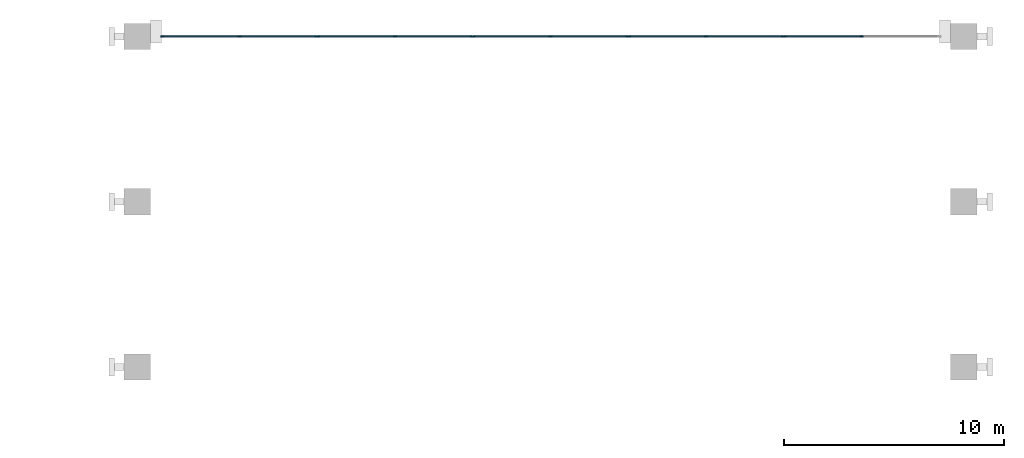
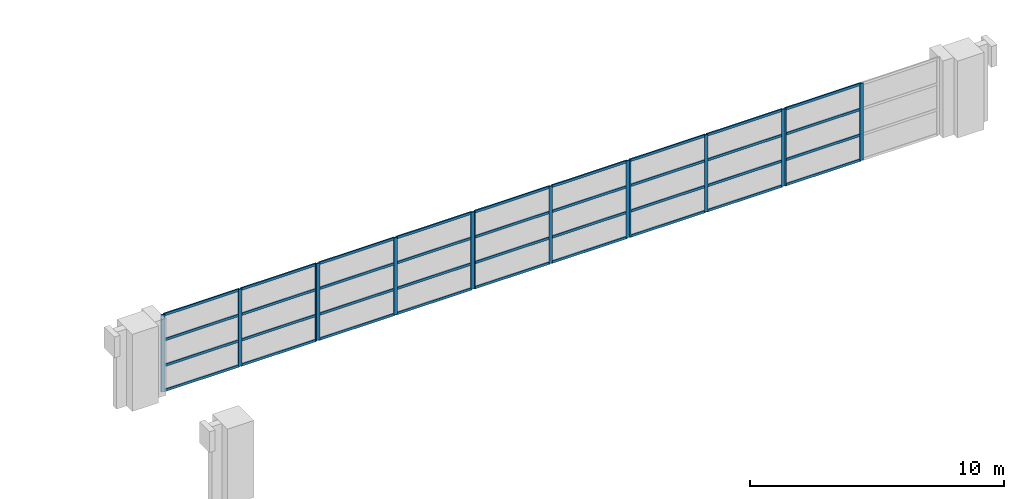
# One storey, part 12 of 57: 50 members, 5 elements without a shape of their own.
"""IFC4 building model written with IfcOpenShell, lengths in metres."""

from ifc_helpers import new_model, si_unit, direction, frame, origin, origin_2d, place, context, subcontext, project, spatial, rectangle, extrude, material, layer, layer_set, material_profile, profile_set, type_object, element, aggregate, save


model = new_model("IFC4")

# Units and contexts
model_context = context("Model", 3, precision=1e-05, world=origin(), true_north=direction((0.0, 1.0)))
body_context = subcontext(model_context, "Body", "Model", "MODEL_VIEW")
ifc_project = project(units=[si_unit("LENGTHUNIT", "METRE"), si_unit("AREAUNIT", "SQUARE_METRE"), si_unit("VOLUMEUNIT", "CUBIC_METRE"), si_unit("PLANEANGLEUNIT", "RADIAN"), si_unit("MASSUNIT", "GRAM", prefix="KILO")], contexts=[model_context])

# Site, building, storey
site_placement = place(None, origin())
site = spatial("IfcSite", under=ifc_project, at=site_placement, CompositionType="ELEMENT")
building_placement = place(site_placement, origin())
building = spatial("IfcBuilding", under=site, at=building_placement, Name="Cour d'Honneur Mobility Palace", CompositionType="ELEMENT")
storey_placement = place(building_placement, frame((0.0, 0.0, 8.199951171875)))
storey = spatial("IfcBuildingStorey", under=building, at=storey_placement, Name="L02", CompositionType="ELEMENT", Elevation=8.199951171875)

# Curtain wall, members
ifc_material_1 = material(Name="Aluminium and glass", Category="aluminium")
ifc_layer = layer(ifc_material_1, 0.10009765625)
ifc_layer_set = layer_set([ifc_layer], Name="Aluminium and glass")
curtain_wall_type = type_object("IfcCurtainWallType", Name="Curtain wall run", PredefinedType="NOTDEFINED", material=ifc_layer_set)
curtain_wall_1_placement = place(storey_placement, origin())
curtain_wall_1 = element("IfcCurtainWall", 1, at=curtain_wall_1_placement, inside=storey, type_object=curtain_wall_type, Name="Curtain wall CW-176", PredefinedType="NOTDEFINED")
ifc_material_2 = material(Name="Aluminium", Category="aluminium")
ifc_material_profile_1 = material_profile(ifc_material_2, rectangle(XDim=0.06005859375, YDim=0.159912109375, at=origin_2d()), Name="Curtain wall mullion")
ifc_profile_set_1 = profile_set([ifc_material_profile_1], Name="Aluminium")
member_type_1 = type_object("IfcMemberType", Name="Curtain wall mullion", PredefinedType="MULLION", material=ifc_profile_set_1)
member_1_placement = place(storey_placement, frame((63.530029296875, 114.89990234375, 0.0), z_axis=(0.0, 0.0, 1.0), x_axis=(0.0, 1.0, 0.0)))
member_1 = element("IfcMember", 2, at=member_1_placement, type_object=member_type_1, Name="CW-176 mullion 1", PredefinedType="MULLION", context=body_context, shape_type="SweptSolid", body=[
    extrude(rectangle(XDim=0.06005859375, YDim=0.159912109375, at=origin_2d()), origin(), (0.0, 0.0, 1.0), 3.699951171875),
])
member_2_placement = place(storey_placement, frame((67.030029296875, 114.89990234375, 0.0), z_axis=(0.0, 0.0, 1.0), x_axis=(0.0, 1.0, 0.0)))
member_2 = element("IfcMember", 3, at=member_2_placement, type_object=member_type_1, Name="CW-176 mullion 2", PredefinedType="MULLION", context=body_context, shape_type="SweptSolid", body=[
    extrude(rectangle(XDim=0.06005859375, YDim=0.159912109375, at=origin_2d()), origin(), (0.0, 0.0, 1.0), 3.699951171875),
])
member_3_placement = place(storey_placement, frame((70.530029296875, 114.89990234375, 0.0), z_axis=(0.0, 0.0, 1.0), x_axis=(0.0, 1.0, 0.0)))
member_3 = element("IfcMember", 4, at=member_3_placement, type_object=member_type_1, Name="CW-176 mullion 3", PredefinedType="MULLION", context=body_context, shape_type="SweptSolid", body=[
    extrude(rectangle(XDim=0.06005859375, YDim=0.159912109375, at=origin_2d()), origin(), (0.0, 0.0, 1.0), 3.699951171875),
])

curtain_wall_2_placement = place(storey_placement, origin())
curtain_wall_2 = element("IfcCurtainWall", 5, at=curtain_wall_2_placement, inside=storey, type_object=curtain_wall_type, Name="Curtain wall CW-177", PredefinedType="NOTDEFINED")
member_4_placement = place(storey_placement, frame((70.590087890625, 114.89990234375, 0.0), z_axis=(0.0, 0.0, 1.0), x_axis=(0.0, 1.0, 0.0)))
member_4 = element("IfcMember", 6, at=member_4_placement, type_object=member_type_1, Name="CW-177 mullion 1", PredefinedType="MULLION", context=body_context, shape_type="SweptSolid", body=[
    extrude(rectangle(XDim=0.06005859375, YDim=0.159912109375, at=origin_2d()), origin(), (0.0, 0.0, 1.0), 3.699951171875),
])
member_5_placement = place(storey_placement, frame((74.090087890625, 114.89990234375, 0.0), z_axis=(0.0, 0.0, 1.0), x_axis=(0.0, 1.0, 0.0)))
member_5 = element("IfcMember", 7, at=member_5_placement, type_object=member_type_1, Name="CW-177 mullion 2", PredefinedType="MULLION", context=body_context, shape_type="SweptSolid", body=[
    extrude(rectangle(XDim=0.06005859375, YDim=0.159912109375, at=origin_2d()), origin(), (0.0, 0.0, 1.0), 3.699951171875),
])
member_6_placement = place(storey_placement, frame((77.590087890625, 114.89990234375, 0.0), z_axis=(0.0, 0.0, 1.0), x_axis=(0.0, 1.0, 0.0)))
member_6 = element("IfcMember", 8, at=member_6_placement, type_object=member_type_1, Name="CW-177 mullion 3", PredefinedType="MULLION", context=body_context, shape_type="SweptSolid", body=[
    extrude(rectangle(XDim=0.06005859375, YDim=0.159912109375, at=origin_2d()), origin(), (0.0, 0.0, 1.0), 3.699951171875),
])

curtain_wall_3_placement = place(storey_placement, origin())
curtain_wall_3 = element("IfcCurtainWall", 9, at=curtain_wall_3_placement, inside=storey, type_object=curtain_wall_type, Name="Curtain wall CW-178", PredefinedType="NOTDEFINED")
member_7_placement = place(storey_placement, frame((77.64990234375, 114.89990234375, 0.0), z_axis=(0.0, 0.0, 1.0), x_axis=(0.0, 1.0, 0.0)))
member_7 = element("IfcMember", 10, at=member_7_placement, type_object=member_type_1, Name="CW-178 mullion 1", PredefinedType="MULLION", context=body_context, shape_type="SweptSolid", body=[
    extrude(rectangle(XDim=0.06005859375, YDim=0.159912109375, at=origin_2d()), origin(), (0.0, 0.0, 1.0), 3.699951171875),
])
member_8_placement = place(storey_placement, frame((81.14990234375, 114.89990234375, 0.0), z_axis=(0.0, 0.0, 1.0), x_axis=(0.0, 1.0, 0.0)))
member_8 = element("IfcMember", 11, at=member_8_placement, type_object=member_type_1, Name="CW-178 mullion 2", PredefinedType="MULLION", context=body_context, shape_type="SweptSolid", body=[
    extrude(rectangle(XDim=0.06005859375, YDim=0.159912109375, at=origin_2d()), origin(), (0.0, 0.0, 1.0), 3.699951171875),
])
member_9_placement = place(storey_placement, frame((84.64990234375, 114.89990234375, 0.0), z_axis=(0.0, 0.0, 1.0), x_axis=(0.0, 1.0, 0.0)))
member_9 = element("IfcMember", 12, at=member_9_placement, type_object=member_type_1, Name="CW-178 mullion 3", PredefinedType="MULLION", context=body_context, shape_type="SweptSolid", body=[
    extrude(rectangle(XDim=0.06005859375, YDim=0.159912109375, at=origin_2d()), origin(), (0.0, 0.0, 1.0), 3.699951171875),
])

curtain_wall_4_placement = place(storey_placement, origin())
curtain_wall_4 = element("IfcCurtainWall", 13, at=curtain_wall_4_placement, inside=storey, type_object=curtain_wall_type, Name="Curtain wall CW-179", PredefinedType="NOTDEFINED")
member_10_placement = place(storey_placement, frame((84.7099609375, 114.89990234375, 0.0), z_axis=(0.0, 0.0, 1.0), x_axis=(0.0, 1.0, 0.0)))
member_10 = element("IfcMember", 14, at=member_10_placement, type_object=member_type_1, Name="CW-179 mullion 1", PredefinedType="MULLION", context=body_context, shape_type="SweptSolid", body=[
    extrude(rectangle(XDim=0.06005859375, YDim=0.159912109375, at=origin_2d()), origin(), (0.0, 0.0, 1.0), 3.699951171875),
])
member_11_placement = place(storey_placement, frame((88.2099609375, 114.89990234375, 0.0), z_axis=(0.0, 0.0, 1.0), x_axis=(0.0, 1.0, 0.0)))
member_11 = element("IfcMember", 15, at=member_11_placement, type_object=member_type_1, Name="CW-179 mullion 2", PredefinedType="MULLION", context=body_context, shape_type="SweptSolid", body=[
    extrude(rectangle(XDim=0.06005859375, YDim=0.159912109375, at=origin_2d()), origin(), (0.0, 0.0, 1.0), 3.699951171875),
])
member_12_placement = place(storey_placement, frame((91.7099609375, 114.89990234375, 0.0), z_axis=(0.0, 0.0, 1.0), x_axis=(0.0, 1.0, 0.0)))
member_12 = element("IfcMember", 16, at=member_12_placement, type_object=member_type_1, Name="CW-179 mullion 3", PredefinedType="MULLION", context=body_context, shape_type="SweptSolid", body=[
    extrude(rectangle(XDim=0.06005859375, YDim=0.159912109375, at=origin_2d()), origin(), (0.0, 0.0, 1.0), 3.699951171875),
])

curtain_wall_5_placement = place(storey_placement, origin())
curtain_wall_5 = element("IfcCurtainWall", 17, at=curtain_wall_5_placement, inside=storey, type_object=curtain_wall_type, Name="Curtain wall CW-180", PredefinedType="NOTDEFINED")
member_13_placement = place(storey_placement, frame((91.77001953125, 114.89990234375, 0.0), z_axis=(0.0, 0.0, 1.0), x_axis=(0.0, 1.0, 0.0)))
member_13 = element("IfcMember", 18, at=member_13_placement, type_object=member_type_1, Name="CW-180 mullion 1", PredefinedType="MULLION", context=body_context, shape_type="SweptSolid", body=[
    extrude(rectangle(XDim=0.06005859375, YDim=0.159912109375, at=origin_2d()), origin(), (0.0, 0.0, 1.0), 3.699951171875),
])
member_14_placement = place(storey_placement, frame((95.27001953125, 114.89990234375, 0.0), z_axis=(0.0, 0.0, 1.0), x_axis=(0.0, 1.0, 0.0)))
member_14 = element("IfcMember", 19, at=member_14_placement, type_object=member_type_1, Name="CW-180 mullion 2", PredefinedType="MULLION", context=body_context, shape_type="SweptSolid", body=[
    extrude(rectangle(XDim=0.06005859375, YDim=0.159912109375, at=origin_2d()), origin(), (0.0, 0.0, 1.0), 3.699951171875),
])

# Member
ifc_material_3 = material(Name="Aluminium", Category="aluminium")
ifc_material_profile_2 = material_profile(ifc_material_3, rectangle(XDim=0.06005859375, YDim=0.1201171875, at=origin_2d()), Name="Curtain wall transom")
ifc_profile_set_2 = profile_set([ifc_material_profile_2], Name="Aluminium")
member_type_2 = type_object("IfcMemberType", Name="Curtain wall transom", PredefinedType="USERDEFINED", material=ifc_profile_set_2)
member_15_placement = place(storey_placement, frame((63.56005859375, 114.89990234375, 0.030029296875), z_axis=(1.0, 0.0, 0.0), x_axis=(0.0, 1.0, 0.0)))
member_15 = element("IfcMember", 20, at=member_15_placement, type_object=member_type_2, Name="CW-176 transom 1.1", ObjectType="TRANSOM", PredefinedType="USERDEFINED", context=body_context, shape_type="SweptSolid", body=[
    extrude(rectangle(XDim=0.06005859375, YDim=0.1201171875, at=origin_2d()), origin(), (0.0, 0.0, 1.0), 3.43994140625),
])

member_16_placement = place(storey_placement, frame((63.56005859375, 114.89990234375, 1.2333984375), z_axis=(1.0, 0.0, 0.0), x_axis=(0.0, 1.0, 0.0)))
member_16 = element("IfcMember", 21, at=member_16_placement, type_object=member_type_2, Name="CW-176 transom 1.2", ObjectType="TRANSOM", PredefinedType="USERDEFINED", context=body_context, shape_type="SweptSolid", body=[
    extrude(rectangle(XDim=0.06005859375, YDim=0.1201171875, at=origin_2d()), origin(), (0.0, 0.0, 1.0), 3.43994140625),
])

member_17_placement = place(storey_placement, frame((63.56005859375, 114.89990234375, 2.466796875), z_axis=(1.0, 0.0, 0.0), x_axis=(0.0, 1.0, 0.0)))
member_17 = element("IfcMember", 22, at=member_17_placement, type_object=member_type_2, Name="CW-176 transom 1.3", ObjectType="TRANSOM", PredefinedType="USERDEFINED", context=body_context, shape_type="SweptSolid", body=[
    extrude(rectangle(XDim=0.06005859375, YDim=0.1201171875, at=origin_2d()), origin(), (0.0, 0.0, 1.0), 3.43994140625),
])

member_18_placement = place(storey_placement, frame((63.56005859375, 114.89990234375, 3.670166015625), z_axis=(1.0, 0.0, 0.0), x_axis=(0.0, 1.0, 0.0)))
member_18 = element("IfcMember", 23, at=member_18_placement, type_object=member_type_2, Name="CW-176 transom 1.4", ObjectType="TRANSOM", PredefinedType="USERDEFINED", context=body_context, shape_type="SweptSolid", body=[
    extrude(rectangle(XDim=0.06005859375, YDim=0.1201171875, at=origin_2d()), origin(), (0.0, 0.0, 1.0), 3.43994140625),
])

member_19_placement = place(storey_placement, frame((67.06005859375, 114.89990234375, 0.030029296875), z_axis=(1.0, 0.0, 0.0), x_axis=(0.0, 1.0, 0.0)))
member_19 = element("IfcMember", 24, at=member_19_placement, type_object=member_type_2, Name="CW-176 transom 2.1", ObjectType="TRANSOM", PredefinedType="USERDEFINED", context=body_context, shape_type="SweptSolid", body=[
    extrude(rectangle(XDim=0.06005859375, YDim=0.1201171875, at=origin_2d()), origin(), (0.0, 0.0, 1.0), 3.43994140625),
])

member_20_placement = place(storey_placement, frame((67.06005859375, 114.89990234375, 1.2333984375), z_axis=(1.0, 0.0, 0.0), x_axis=(0.0, 1.0, 0.0)))
member_20 = element("IfcMember", 25, at=member_20_placement, type_object=member_type_2, Name="CW-176 transom 2.2", ObjectType="TRANSOM", PredefinedType="USERDEFINED", context=body_context, shape_type="SweptSolid", body=[
    extrude(rectangle(XDim=0.06005859375, YDim=0.1201171875, at=origin_2d()), origin(), (0.0, 0.0, 1.0), 3.43994140625),
])

member_21_placement = place(storey_placement, frame((67.06005859375, 114.89990234375, 2.466796875), z_axis=(1.0, 0.0, 0.0), x_axis=(0.0, 1.0, 0.0)))
member_21 = element("IfcMember", 26, at=member_21_placement, type_object=member_type_2, Name="CW-176 transom 2.3", ObjectType="TRANSOM", PredefinedType="USERDEFINED", context=body_context, shape_type="SweptSolid", body=[
    extrude(rectangle(XDim=0.06005859375, YDim=0.1201171875, at=origin_2d()), origin(), (0.0, 0.0, 1.0), 3.43994140625),
])

member_22_placement = place(storey_placement, frame((67.06005859375, 114.89990234375, 3.670166015625), z_axis=(1.0, 0.0, 0.0), x_axis=(0.0, 1.0, 0.0)))
member_22 = element("IfcMember", 27, at=member_22_placement, type_object=member_type_2, Name="CW-176 transom 2.4", ObjectType="TRANSOM", PredefinedType="USERDEFINED", context=body_context, shape_type="SweptSolid", body=[
    extrude(rectangle(XDim=0.06005859375, YDim=0.1201171875, at=origin_2d()), origin(), (0.0, 0.0, 1.0), 3.43994140625),
])

aggregate(curtain_wall_1, [member_1, member_2, member_3, member_15, member_16, member_17, member_18, member_19, member_20, member_21, member_22])

member_23_placement = place(storey_placement, frame((70.6201171875, 114.89990234375, 0.030029296875), z_axis=(1.0, 0.0, 0.0), x_axis=(0.0, 1.0, 0.0)))
member_23 = element("IfcMember", 28, at=member_23_placement, type_object=member_type_2, Name="CW-177 transom 1.1", ObjectType="TRANSOM", PredefinedType="USERDEFINED", context=body_context, shape_type="SweptSolid", body=[
    extrude(rectangle(XDim=0.06005859375, YDim=0.1201171875, at=origin_2d()), origin(), (0.0, 0.0, 1.0), 3.43994140625),
])

member_24_placement = place(storey_placement, frame((70.6201171875, 114.89990234375, 1.2333984375), z_axis=(1.0, 0.0, 0.0), x_axis=(0.0, 1.0, 0.0)))
member_24 = element("IfcMember", 29, at=member_24_placement, type_object=member_type_2, Name="CW-177 transom 1.2", ObjectType="TRANSOM", PredefinedType="USERDEFINED", context=body_context, shape_type="SweptSolid", body=[
    extrude(rectangle(XDim=0.06005859375, YDim=0.1201171875, at=origin_2d()), origin(), (0.0, 0.0, 1.0), 3.43994140625),
])

member_25_placement = place(storey_placement, frame((70.6201171875, 114.89990234375, 2.466796875), z_axis=(1.0, 0.0, 0.0), x_axis=(0.0, 1.0, 0.0)))
member_25 = element("IfcMember", 30, at=member_25_placement, type_object=member_type_2, Name="CW-177 transom 1.3", ObjectType="TRANSOM", PredefinedType="USERDEFINED", context=body_context, shape_type="SweptSolid", body=[
    extrude(rectangle(XDim=0.06005859375, YDim=0.1201171875, at=origin_2d()), origin(), (0.0, 0.0, 1.0), 3.43994140625),
])

member_26_placement = place(storey_placement, frame((70.6201171875, 114.89990234375, 3.670166015625), z_axis=(1.0, 0.0, 0.0), x_axis=(0.0, 1.0, 0.0)))
member_26 = element("IfcMember", 31, at=member_26_placement, type_object=member_type_2, Name="CW-177 transom 1.4", ObjectType="TRANSOM", PredefinedType="USERDEFINED", context=body_context, shape_type="SweptSolid", body=[
    extrude(rectangle(XDim=0.06005859375, YDim=0.1201171875, at=origin_2d()), origin(), (0.0, 0.0, 1.0), 3.43994140625),
])

member_27_placement = place(storey_placement, frame((74.1201171875, 114.89990234375, 0.030029296875), z_axis=(1.0, 0.0, 0.0), x_axis=(0.0, 1.0, 0.0)))
member_27 = element("IfcMember", 32, at=member_27_placement, type_object=member_type_2, Name="CW-177 transom 2.1", ObjectType="TRANSOM", PredefinedType="USERDEFINED", context=body_context, shape_type="SweptSolid", body=[
    extrude(rectangle(XDim=0.06005859375, YDim=0.1201171875, at=origin_2d()), origin(), (0.0, 0.0, 1.0), 3.43994140625),
])

member_28_placement = place(storey_placement, frame((74.1201171875, 114.89990234375, 1.2333984375), z_axis=(1.0, 0.0, 0.0), x_axis=(0.0, 1.0, 0.0)))
member_28 = element("IfcMember", 33, at=member_28_placement, type_object=member_type_2, Name="CW-177 transom 2.2", ObjectType="TRANSOM", PredefinedType="USERDEFINED", context=body_context, shape_type="SweptSolid", body=[
    extrude(rectangle(XDim=0.06005859375, YDim=0.1201171875, at=origin_2d()), origin(), (0.0, 0.0, 1.0), 3.43994140625),
])

member_29_placement = place(storey_placement, frame((74.1201171875, 114.89990234375, 2.466796875), z_axis=(1.0, 0.0, 0.0), x_axis=(0.0, 1.0, 0.0)))
member_29 = element("IfcMember", 34, at=member_29_placement, type_object=member_type_2, Name="CW-177 transom 2.3", ObjectType="TRANSOM", PredefinedType="USERDEFINED", context=body_context, shape_type="SweptSolid", body=[
    extrude(rectangle(XDim=0.06005859375, YDim=0.1201171875, at=origin_2d()), origin(), (0.0, 0.0, 1.0), 3.43994140625),
])

member_30_placement = place(storey_placement, frame((74.1201171875, 114.89990234375, 3.670166015625), z_axis=(1.0, 0.0, 0.0), x_axis=(0.0, 1.0, 0.0)))
member_30 = element("IfcMember", 35, at=member_30_placement, type_object=member_type_2, Name="CW-177 transom 2.4", ObjectType="TRANSOM", PredefinedType="USERDEFINED", context=body_context, shape_type="SweptSolid", body=[
    extrude(rectangle(XDim=0.06005859375, YDim=0.1201171875, at=origin_2d()), origin(), (0.0, 0.0, 1.0), 3.43994140625),
])

aggregate(curtain_wall_2, [member_4, member_5, member_6, member_23, member_24, member_25, member_26, member_27, member_28, member_29, member_30])

member_31_placement = place(storey_placement, frame((77.679931640625, 114.89990234375, 0.030029296875), z_axis=(1.0, 0.0, 0.0), x_axis=(0.0, 1.0, 0.0)))
member_31 = element("IfcMember", 36, at=member_31_placement, type_object=member_type_2, Name="CW-178 transom 1.1", ObjectType="TRANSOM", PredefinedType="USERDEFINED", context=body_context, shape_type="SweptSolid", body=[
    extrude(rectangle(XDim=0.06005859375, YDim=0.1201171875, at=origin_2d()), origin(), (0.0, 0.0, 1.0), 3.440185546875),
])

member_32_placement = place(storey_placement, frame((77.679931640625, 114.89990234375, 1.2333984375), z_axis=(1.0, 0.0, 0.0), x_axis=(0.0, 1.0, 0.0)))
member_32 = element("IfcMember", 37, at=member_32_placement, type_object=member_type_2, Name="CW-178 transom 1.2", ObjectType="TRANSOM", PredefinedType="USERDEFINED", context=body_context, shape_type="SweptSolid", body=[
    extrude(rectangle(XDim=0.06005859375, YDim=0.1201171875, at=origin_2d()), origin(), (0.0, 0.0, 1.0), 3.440185546875),
])

member_33_placement = place(storey_placement, frame((77.679931640625, 114.89990234375, 2.466796875), z_axis=(1.0, 0.0, 0.0), x_axis=(0.0, 1.0, 0.0)))
member_33 = element("IfcMember", 38, at=member_33_placement, type_object=member_type_2, Name="CW-178 transom 1.3", ObjectType="TRANSOM", PredefinedType="USERDEFINED", context=body_context, shape_type="SweptSolid", body=[
    extrude(rectangle(XDim=0.06005859375, YDim=0.1201171875, at=origin_2d()), origin(), (0.0, 0.0, 1.0), 3.440185546875),
])

member_34_placement = place(storey_placement, frame((77.679931640625, 114.89990234375, 3.670166015625), z_axis=(1.0, 0.0, 0.0), x_axis=(0.0, 1.0, 0.0)))
member_34 = element("IfcMember", 39, at=member_34_placement, type_object=member_type_2, Name="CW-178 transom 1.4", ObjectType="TRANSOM", PredefinedType="USERDEFINED", context=body_context, shape_type="SweptSolid", body=[
    extrude(rectangle(XDim=0.06005859375, YDim=0.1201171875, at=origin_2d()), origin(), (0.0, 0.0, 1.0), 3.440185546875),
])

member_35_placement = place(storey_placement, frame((81.179931640625, 114.89990234375, 0.030029296875), z_axis=(1.0, 0.0, 0.0), x_axis=(0.0, 1.0, 0.0)))
member_35 = element("IfcMember", 40, at=member_35_placement, type_object=member_type_2, Name="CW-178 transom 2.1", ObjectType="TRANSOM", PredefinedType="USERDEFINED", context=body_context, shape_type="SweptSolid", body=[
    extrude(rectangle(XDim=0.06005859375, YDim=0.1201171875, at=origin_2d()), origin(), (0.0, 0.0, 1.0), 3.440185546875),
])

member_36_placement = place(storey_placement, frame((81.179931640625, 114.89990234375, 1.2333984375), z_axis=(1.0, 0.0, 0.0), x_axis=(0.0, 1.0, 0.0)))
member_36 = element("IfcMember", 41, at=member_36_placement, type_object=member_type_2, Name="CW-178 transom 2.2", ObjectType="TRANSOM", PredefinedType="USERDEFINED", context=body_context, shape_type="SweptSolid", body=[
    extrude(rectangle(XDim=0.06005859375, YDim=0.1201171875, at=origin_2d()), origin(), (0.0, 0.0, 1.0), 3.440185546875),
])

member_37_placement = place(storey_placement, frame((81.179931640625, 114.89990234375, 2.466796875), z_axis=(1.0, 0.0, 0.0), x_axis=(0.0, 1.0, 0.0)))
member_37 = element("IfcMember", 42, at=member_37_placement, type_object=member_type_2, Name="CW-178 transom 2.3", ObjectType="TRANSOM", PredefinedType="USERDEFINED", context=body_context, shape_type="SweptSolid", body=[
    extrude(rectangle(XDim=0.06005859375, YDim=0.1201171875, at=origin_2d()), origin(), (0.0, 0.0, 1.0), 3.440185546875),
])

member_38_placement = place(storey_placement, frame((81.179931640625, 114.89990234375, 3.670166015625), z_axis=(1.0, 0.0, 0.0), x_axis=(0.0, 1.0, 0.0)))
member_38 = element("IfcMember", 43, at=member_38_placement, type_object=member_type_2, Name="CW-178 transom 2.4", ObjectType="TRANSOM", PredefinedType="USERDEFINED", context=body_context, shape_type="SweptSolid", body=[
    extrude(rectangle(XDim=0.06005859375, YDim=0.1201171875, at=origin_2d()), origin(), (0.0, 0.0, 1.0), 3.440185546875),
])

aggregate(curtain_wall_3, [member_7, member_8, member_9, member_31, member_32, member_33, member_34, member_35, member_36, member_37, member_38])

member_39_placement = place(storey_placement, frame((84.739990234375, 114.89990234375, 0.030029296875), z_axis=(1.0, 0.0, 0.0), x_axis=(0.0, 1.0, 0.0)))
member_39 = element("IfcMember", 44, at=member_39_placement, type_object=member_type_2, Name="CW-179 transom 1.1", ObjectType="TRANSOM", PredefinedType="USERDEFINED", context=body_context, shape_type="SweptSolid", body=[
    extrude(rectangle(XDim=0.06005859375, YDim=0.1201171875, at=origin_2d()), origin(), (0.0, 0.0, 1.0), 3.43994140625),
])

member_40_placement = place(storey_placement, frame((84.739990234375, 114.89990234375, 1.2333984375), z_axis=(1.0, 0.0, 0.0), x_axis=(0.0, 1.0, 0.0)))
member_40 = element("IfcMember", 45, at=member_40_placement, type_object=member_type_2, Name="CW-179 transom 1.2", ObjectType="TRANSOM", PredefinedType="USERDEFINED", context=body_context, shape_type="SweptSolid", body=[
    extrude(rectangle(XDim=0.06005859375, YDim=0.1201171875, at=origin_2d()), origin(), (0.0, 0.0, 1.0), 3.43994140625),
])

member_41_placement = place(storey_placement, frame((84.739990234375, 114.89990234375, 2.466796875), z_axis=(1.0, 0.0, 0.0), x_axis=(0.0, 1.0, 0.0)))
member_41 = element("IfcMember", 46, at=member_41_placement, type_object=member_type_2, Name="CW-179 transom 1.3", ObjectType="TRANSOM", PredefinedType="USERDEFINED", context=body_context, shape_type="SweptSolid", body=[
    extrude(rectangle(XDim=0.06005859375, YDim=0.1201171875, at=origin_2d()), origin(), (0.0, 0.0, 1.0), 3.43994140625),
])

member_42_placement = place(storey_placement, frame((84.739990234375, 114.89990234375, 3.670166015625), z_axis=(1.0, 0.0, 0.0), x_axis=(0.0, 1.0, 0.0)))
member_42 = element("IfcMember", 47, at=member_42_placement, type_object=member_type_2, Name="CW-179 transom 1.4", ObjectType="TRANSOM", PredefinedType="USERDEFINED", context=body_context, shape_type="SweptSolid", body=[
    extrude(rectangle(XDim=0.06005859375, YDim=0.1201171875, at=origin_2d()), origin(), (0.0, 0.0, 1.0), 3.43994140625),
])

member_43_placement = place(storey_placement, frame((88.239990234375, 114.89990234375, 0.030029296875), z_axis=(1.0, 0.0, 0.0), x_axis=(0.0, 1.0, 0.0)))
member_43 = element("IfcMember", 48, at=member_43_placement, type_object=member_type_2, Name="CW-179 transom 2.1", ObjectType="TRANSOM", PredefinedType="USERDEFINED", context=body_context, shape_type="SweptSolid", body=[
    extrude(rectangle(XDim=0.06005859375, YDim=0.1201171875, at=origin_2d()), origin(), (0.0, 0.0, 1.0), 3.43994140625),
])

member_44_placement = place(storey_placement, frame((88.239990234375, 114.89990234375, 1.2333984375), z_axis=(1.0, 0.0, 0.0), x_axis=(0.0, 1.0, 0.0)))
member_44 = element("IfcMember", 49, at=member_44_placement, type_object=member_type_2, Name="CW-179 transom 2.2", ObjectType="TRANSOM", PredefinedType="USERDEFINED", context=body_context, shape_type="SweptSolid", body=[
    extrude(rectangle(XDim=0.06005859375, YDim=0.1201171875, at=origin_2d()), origin(), (0.0, 0.0, 1.0), 3.43994140625),
])

member_45_placement = place(storey_placement, frame((88.239990234375, 114.89990234375, 2.466796875), z_axis=(1.0, 0.0, 0.0), x_axis=(0.0, 1.0, 0.0)))
member_45 = element("IfcMember", 50, at=member_45_placement, type_object=member_type_2, Name="CW-179 transom 2.3", ObjectType="TRANSOM", PredefinedType="USERDEFINED", context=body_context, shape_type="SweptSolid", body=[
    extrude(rectangle(XDim=0.06005859375, YDim=0.1201171875, at=origin_2d()), origin(), (0.0, 0.0, 1.0), 3.43994140625),
])

member_46_placement = place(storey_placement, frame((88.239990234375, 114.89990234375, 3.670166015625), z_axis=(1.0, 0.0, 0.0), x_axis=(0.0, 1.0, 0.0)))
member_46 = element("IfcMember", 51, at=member_46_placement, type_object=member_type_2, Name="CW-179 transom 2.4", ObjectType="TRANSOM", PredefinedType="USERDEFINED", context=body_context, shape_type="SweptSolid", body=[
    extrude(rectangle(XDim=0.06005859375, YDim=0.1201171875, at=origin_2d()), origin(), (0.0, 0.0, 1.0), 3.43994140625),
])

aggregate(curtain_wall_4, [member_10, member_11, member_12, member_39, member_40, member_41, member_42, member_43, member_44, member_45, member_46])

member_47_placement = place(storey_placement, frame((91.800048828125, 114.89990234375, 0.030029296875), z_axis=(1.0, 0.0, 0.0), x_axis=(0.0, 1.0, 0.0)))
member_47 = element("IfcMember", 52, at=member_47_placement, type_object=member_type_2, Name="CW-180 transom 1.1", ObjectType="TRANSOM", PredefinedType="USERDEFINED", context=body_context, shape_type="SweptSolid", body=[
    extrude(rectangle(XDim=0.06005859375, YDim=0.1201171875, at=origin_2d()), origin(), (0.0, 0.0, 1.0), 3.43994140625),
])

member_48_placement = place(storey_placement, frame((91.800048828125, 114.89990234375, 1.2333984375), z_axis=(1.0, 0.0, 0.0), x_axis=(0.0, 1.0, 0.0)))
member_48 = element("IfcMember", 53, at=member_48_placement, type_object=member_type_2, Name="CW-180 transom 1.2", ObjectType="TRANSOM", PredefinedType="USERDEFINED", context=body_context, shape_type="SweptSolid", body=[
    extrude(rectangle(XDim=0.06005859375, YDim=0.1201171875, at=origin_2d()), origin(), (0.0, 0.0, 1.0), 3.43994140625),
])

member_49_placement = place(storey_placement, frame((91.800048828125, 114.89990234375, 2.466796875), z_axis=(1.0, 0.0, 0.0), x_axis=(0.0, 1.0, 0.0)))
member_49 = element("IfcMember", 54, at=member_49_placement, type_object=member_type_2, Name="CW-180 transom 1.3", ObjectType="TRANSOM", PredefinedType="USERDEFINED", context=body_context, shape_type="SweptSolid", body=[
    extrude(rectangle(XDim=0.06005859375, YDim=0.1201171875, at=origin_2d()), origin(), (0.0, 0.0, 1.0), 3.43994140625),
])

member_50_placement = place(storey_placement, frame((91.800048828125, 114.89990234375, 3.670166015625), z_axis=(1.0, 0.0, 0.0), x_axis=(0.0, 1.0, 0.0)))
member_50 = element("IfcMember", 55, at=member_50_placement, type_object=member_type_2, Name="CW-180 transom 1.4", ObjectType="TRANSOM", PredefinedType="USERDEFINED", context=body_context, shape_type="SweptSolid", body=[
    extrude(rectangle(XDim=0.06005859375, YDim=0.1201171875, at=origin_2d()), origin(), (0.0, 0.0, 1.0), 3.43994140625),
])

aggregate(curtain_wall_5, [member_13, member_14, member_47, member_48, member_49, member_50])

save(model, "model.ifc")
